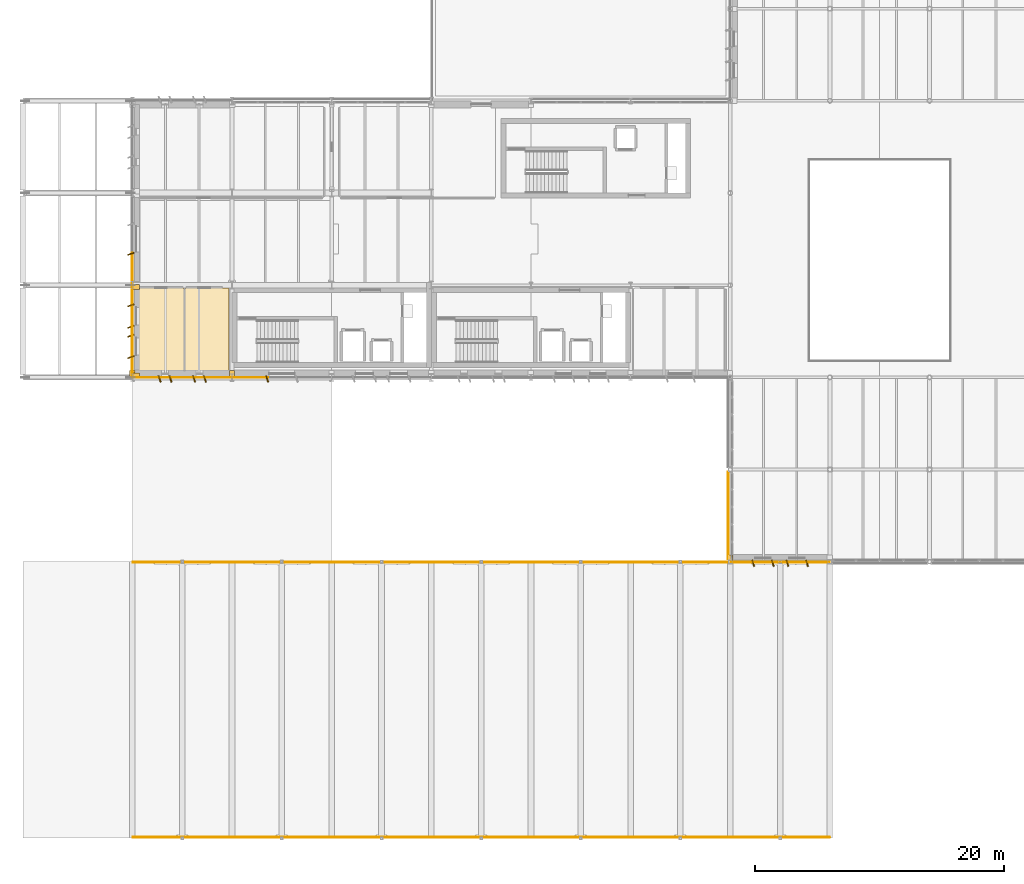
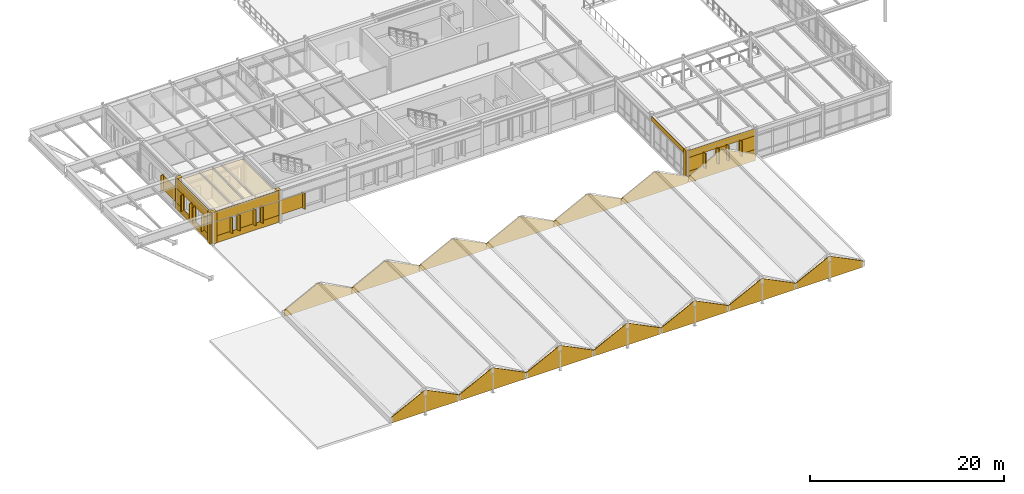
# One storey, part 49 of 63: 53 coverings.
"""IFC4 building model written with IfcOpenShell, lengths in metres."""

from ifc_helpers import new_model, si_unit, direction, frame, frame_2d, origin, origin_2d, place, context, subcontext, project, spatial, polyline, rectangle, outline, extrude, material, layer, layer_set, type_object, element, save


model = new_model("IFC4")

# Units and contexts
model_context = context("Model", 3, precision=1e-05, world=origin(), true_north=direction((0.0, 1.0)))
body_context = subcontext(model_context, "Body", "Model", "MODEL_VIEW")
ifc_project = project(units=[si_unit("LENGTHUNIT", "METRE"), si_unit("AREAUNIT", "SQUARE_METRE"), si_unit("VOLUMEUNIT", "CUBIC_METRE"), si_unit("PLANEANGLEUNIT", "RADIAN"), si_unit("MASSUNIT", "GRAM", prefix="KILO")], contexts=[model_context])

# Site, building, storey
site_placement = place(None, origin())
site = spatial("IfcSite", under=ifc_project, at=site_placement, CompositionType="ELEMENT")
building_placement = place(site_placement, origin())
building = spatial("IfcBuilding", under=site, at=building_placement, Name="Valkorina Park Police Headquarters", CompositionType="ELEMENT")
storey_placement = place(building_placement, frame((0.0, 0.0, 9.89990234375)))
storey = spatial("IfcBuildingStorey", under=building, at=storey_placement, Name="L03", CompositionType="ELEMENT", Elevation=9.89990234375)

# Coverings
ifc_material_1 = material(Name="Acoustic mineral board")
ifc_layer_1 = layer(ifc_material_1, 0.02490234375)
ifc_layer_set_1 = layer_set([ifc_layer_1], Name="Acoustic mineral board")
covering_type_1 = type_object("IfcCoveringType", Name="COV-CEILING-ACOUST", PredefinedType="CEILING", material=ifc_layer_set_1)
covering_1_placement = place(storey_placement, frame((0.0, 0.0, 3.630126953125)))
element("IfcCovering", 1, at=covering_1_placement, inside=storey, type_object=covering_type_1, Name="L03 Male WC Acoustic Suspended Ceiling", PredefinedType="CEILING", context=body_context, shape_type="SweptSolid", body=[
    extrude(outline(polyline([(12.95849609375, 37.50439453125), (12.959716796875, 37.51220703125), (12.9599609375, 37.52001953125), (12.9599609375, 44.080078125), (12.959716796875, 44.087890625), (12.95849609375, 44.095703125), (12.95654296875, 44.103271484375), (12.953857421875, 44.110595703125), (12.95068359375, 44.11767578125), (12.946533203125, 44.12451171875), (12.94189453125, 44.130859375), (12.9365234375, 44.13671875), (12.930908203125, 44.141845703125), (12.92431640625, 44.146484375), (12.917724609375, 44.150634765625), (12.91064453125, 44.15380859375), (12.9033203125, 44.156494140625), (12.8955078125, 44.158447265625), (12.8876953125, 44.15966796875), (12.8798828125, 44.159912109375), (9.320068359375, 44.159912109375), (9.312255859375, 44.15966796875), (9.304443359375, 44.158447265625), (9.296875, 44.156494140625), (9.289306640625, 44.15380859375), (9.2822265625, 44.150634765625), (9.275634765625, 44.146484375), (9.269287109375, 44.141845703125), (9.263427734375, 44.13671875), (9.25830078125, 44.130859375), (9.25341796875, 44.12451171875), (9.24951171875, 44.11767578125), (9.24609375, 44.110595703125), (9.243408203125, 44.103271484375), (9.241455078125, 44.095703125), (9.240478515625, 44.087890625), (9.239990234375, 44.080078125), (9.239990234375, 37.52001953125), (9.240478515625, 37.51220703125), (9.241455078125, 37.50439453125), (9.243408203125, 37.496826171875), (9.24609375, 37.489501953125), (9.24951171875, 37.482421875), (9.25341796875, 37.4755859375), (9.25830078125, 37.46923828125), (9.263427734375, 37.46337890625), (9.269287109375, 37.458251953125), (9.275634765625, 37.45361328125), (9.2822265625, 37.449462890625), (9.289306640625, 37.446044921875), (9.296875, 37.443359375), (9.304443359375, 37.44140625), (9.312255859375, 37.4404296875), (9.320068359375, 37.43994140625), (12.8798828125, 37.43994140625), (12.8876953125, 37.4404296875), (12.8955078125, 37.44140625), (12.9033203125, 37.443359375), (12.91064453125, 37.446044921875), (12.917724609375, 37.449462890625), (12.92431640625, 37.45361328125), (12.930908203125, 37.458251953125), (12.9365234375, 37.46337890625), (12.94189453125, 37.46923828125), (12.946533203125, 37.4755859375), (12.95068359375, 37.482421875), (12.953857421875, 37.489501953125), (12.95654296875, 37.496826171875), (12.95849609375, 37.50439453125)])), origin(), (0.0, 0.0, 1.0), 0.02490234375),
])
covering_2_placement = place(storey_placement, frame((0.0, 0.0, 3.630126953125)))
element("IfcCovering", 2, at=covering_2_placement, inside=storey, type_object=covering_type_1, Name="L03 Female WC Acoustic Suspended Ceiling", PredefinedType="CEILING", context=body_context, shape_type="SweptSolid", body=[
    extrude(outline(polyline([(16.55859375, 37.50439453125), (16.5595703125, 37.51220703125), (16.56005859375, 37.52001953125), (16.56005859375, 44.080078125), (16.5595703125, 44.087890625), (16.55859375, 44.095703125), (16.556640625, 44.103271484375), (16.553955078125, 44.110595703125), (16.550537109375, 44.11767578125), (16.54638671875, 44.12451171875), (16.541748046875, 44.130859375), (16.53662109375, 44.13671875), (16.53076171875, 44.141845703125), (16.5244140625, 44.146484375), (16.517578125, 44.150634765625), (16.510498046875, 44.15380859375), (16.503173828125, 44.156494140625), (16.49560546875, 44.158447265625), (16.48779296875, 44.15966796875), (16.47998046875, 44.159912109375), (13.1201171875, 44.159912109375), (13.1123046875, 44.15966796875), (13.1044921875, 44.158447265625), (13.0966796875, 44.156494140625), (13.08935546875, 44.15380859375), (13.082275390625, 44.150634765625), (13.07568359375, 44.146484375), (13.069091796875, 44.141845703125), (13.0634765625, 44.13671875), (13.05810546875, 44.130859375), (13.053466796875, 44.12451171875), (13.04931640625, 44.11767578125), (13.046142578125, 44.110595703125), (13.04345703125, 44.103271484375), (13.04150390625, 44.095703125), (13.040283203125, 44.087890625), (13.0400390625, 44.080078125), (13.0400390625, 37.52001953125), (13.040283203125, 37.51220703125), (13.04150390625, 37.50439453125), (13.04345703125, 37.496826171875), (13.046142578125, 37.489501953125), (13.04931640625, 37.482421875), (13.053466796875, 37.4755859375), (13.05810546875, 37.46923828125), (13.0634765625, 37.46337890625), (13.069091796875, 37.458251953125), (13.07568359375, 37.45361328125), (13.082275390625, 37.449462890625), (13.08935546875, 37.446044921875), (13.0966796875, 37.443359375), (13.1044921875, 37.44140625), (13.1123046875, 37.4404296875), (13.1201171875, 37.43994140625), (16.47998046875, 37.43994140625), (16.48779296875, 37.4404296875), (16.49560546875, 37.44140625), (16.503173828125, 37.443359375), (16.510498046875, 37.446044921875), (16.517578125, 37.449462890625), (16.5244140625, 37.45361328125), (16.53076171875, 37.458251953125), (16.53662109375, 37.46337890625), (16.541748046875, 37.46923828125), (16.54638671875, 37.4755859375), (16.550537109375, 37.482421875), (16.553955078125, 37.489501953125), (16.556640625, 37.496826171875), (16.55859375, 37.50439453125)])), origin(), (0.0, 0.0, 1.0), 0.02490234375),
])
ifc_material_2 = material(Name="Precast concrete C40/50", Category="concrete")
ifc_layer_2 = layer(ifc_material_2, 0.044921875)
ifc_layer_set_2 = layer_set([ifc_layer_2], Name="Precast concrete C40/50")
covering_type_2 = type_object("IfcCoveringType", Name="COV-CLAD-DOLOMITE", PredefinedType="CLADDING", material=ifc_layer_set_2)
for number, where, z_axis, x_axis, name in (
    (3, (8.840087890625, 0.06005859375, -0.0498046875), (0.0, 0.0, 1.0), (1.0, 0.0, 0.0), "V1 Folded-Plate Gable Closure 1S"),
    (4, (8.840087890625, 22.139892578125, -0.0498046875), (0.0, 0.0, 1.0), (1.0, 0.0, 0.0), "V1 Folded-Plate Gable Closure 1N"),
    (5, (16.840087890625, 0.06005859375, -0.0498046875), (0.0, 0.0, 1.0), (1.0, 0.0, 0.0), "V1 Folded-Plate Gable Closure 2S"),
    (6, (16.840087890625, 22.139892578125, -0.0498046875), (0.0, 0.0, 1.0), (1.0, 0.0, 0.0), "V1 Folded-Plate Gable Closure 2N"),
    (7, (24.840087890625, 0.06005859375, -0.0498046875), (0.0, 0.0, 1.0), (1.0, 0.0, 0.0), "V1 Folded-Plate Gable Closure 3S"),
    (8, (24.840087890625, 22.139892578125, -0.0498046875), (0.0, 0.0, 1.0), (1.0, 0.0, 0.0), "V1 Folded-Plate Gable Closure 3N"),
    (9, (32.840087890625, 0.06005859375, -0.0498046875), (0.0, 0.0, 1.0), (1.0, 0.0, 0.0), "V1 Folded-Plate Gable Closure 4S"),
    (10, (32.840087890625, 22.139892578125, -0.0498046875), (0.0, 0.0, 1.0), (1.0, 0.0, 0.0), "V1 Folded-Plate Gable Closure 4N"),
    (11, (40.840087890625, 0.06005859375, -0.0498046875), (0.0, 0.0, 1.0), (1.0, 0.0, 0.0), "V1 Folded-Plate Gable Closure 5S"),
    (12, (40.840087890625, 22.139892578125, -0.0498046875), (0.0, 0.0, 1.0), (1.0, 0.0, 0.0), "V1 Folded-Plate Gable Closure 5N"),
    (13, (48.840087890625, 0.06005859375, -0.0498046875), (0.0, 0.0, 1.0), (1.0, 0.0, 0.0), "V1 Folded-Plate Gable Closure 6S"),
    (14, (48.840087890625, 22.139892578125, -0.0498046875), (0.0, 0.0, 1.0), (1.0, 0.0, 0.0), "V1 Folded-Plate Gable Closure 6N"),
    (15, (56.840087890625, 0.06005859375, -0.0498046875), (0.0, 0.0, 1.0), (1.0, 0.0, 0.0), "V1 Folded-Plate Gable Closure 7S"),
    (16, (56.840087890625, 22.139892578125, -0.0498046875), (0.0, 0.0, 1.0), (1.0, 0.0, 0.0), "V1 Folded-Plate Gable Closure 7N"),
):
    element("IfcCovering", number, at=place(storey_placement, frame(where, z_axis=z_axis, x_axis=x_axis)), inside=storey, type_object=covering_type_2, Name=name, PredefinedType="CLADDING", context=body_context, shape_type="SweptSolid", body=[
        extrude(outline(polyline([(0.0, 0.0), (7.919921875, 0.0), (8.0, 0.75), (3.9599609375, 2.7705078125), (0.0, 0.75), (0.0, 0.0)])), frame((0.0, 0.0400390625, 0.0), z_axis=(0.0, -1.0, 0.0), x_axis=(1.0, 0.0, 0.0)), (0.0, 0.0, 1.0), 0.080078125),
    ])
covering_3_placement = place(storey_placement, frame((56.81787109375, 22.489990234375, 0.000244140625), z_axis=(0.0, 0.0, 1.0), x_axis=(1.0, 0.0, 0.0)))
element("IfcCovering", 17, at=covering_3_placement, inside=storey, type_object=covering_type_2, Name="L03 Exterior Joint Closure Pilaster B 2122", PredefinedType="CLADDING", context=body_context, shape_type="SweptSolid", body=[
    extrude(rectangle(XDim=0.419921875, YDim=0.52197265625, at=origin_2d()), origin(), (0.0, 0.0, 1.0), 3.919921875),
])
for number, where, z_axis, x_axis, name in (
    (18, (62.95751953125, 22.080078125, 1.22998046875), (0.0, 0.0, 1.0), (0.317304656405, -0.948323655206, 0.0), "Slanted 18.5-deg Precast Window Slot Fin 2123"),
    (19, (61.387451171875, 22.080078125, 1.22998046875), (0.0, 0.0, 1.0), (0.317304656405, -0.948323655206, 0.0), "Slanted 18.5-deg Precast Window Slot Fin 2124"),
    (20, (60.212646484375, 22.080078125, 1.22998046875), (0.0, 0.0, 1.0), (0.317304656405, -0.948323655206, 0.0), "Slanted 18.5-deg Precast Window Slot Fin 2125"),
    (21, (58.642578125, 22.080078125, 1.22998046875), (0.0, 0.0, 1.0), (0.317304656405, -0.948323655206, 0.0), "Slanted 18.5-deg Precast Window Slot Fin 2126"),
):
    element("IfcCovering", number, at=place(storey_placement, frame(where, z_axis=z_axis, x_axis=x_axis)), inside=storey, type_object=covering_type_2, Name=name, PredefinedType="CLADDING", context=body_context, shape_type="SweptSolid", body=[
        extrude(rectangle(XDim=0.5400390625, YDim=0.090087890625, at=origin_2d()), origin(), (0.0, 0.0, 1.0), 1.889892578125),
    ])
covering_4_placement = place(storey_placement, frame((64.780029296875, 22.18505859375, 0.0), z_axis=(0.0, 0.0, 1.0), x_axis=(-1.0, 0.0, 0.0)))
element("IfcCovering", 22, at=covering_4_placement, inside=storey, type_object=covering_type_2, Name="L03 Calm Concrete Base Sill Spandrel 2127", PredefinedType="CLADDING", context=body_context, shape_type="SweptSolid", body=[
    extrude(rectangle(XDim=7.9599609375, YDim=0.044921875, at=frame_2d((3.97998046875, 0.0))), origin(), (0.0, 0.0, 1.0), 1.320068359375),
])
covering_5_placement = place(storey_placement, frame((64.780029296875, 22.18505859375, 3.030029296875), z_axis=(0.0, 0.0, 1.0), x_axis=(-1.0, 0.0, 0.0)))
element("IfcCovering", 23, at=covering_5_placement, inside=storey, type_object=covering_type_2, Name="L03 Calm Concrete Base Lintel Spandrel 2128", PredefinedType="CLADDING", context=body_context, shape_type="SweptSolid", body=[
    extrude(rectangle(XDim=7.9599609375, YDim=0.044921875, at=frame_2d((3.97998046875, 0.0))), origin(), (0.0, 0.0, 1.0), 0.89013671875),
])
covering_6_placement = place(storey_placement, frame((64.780029296875, 22.18505859375, 1.320068359375), z_axis=(0.0, 0.0, 1.0), x_axis=(-1.0, 0.0, 0.0)))
element("IfcCovering", 24, at=covering_6_placement, inside=storey, type_object=covering_type_2, Name="L03 Calm Concrete Base Slot Pier 2129", PredefinedType="CLADDING", context=body_context, shape_type="SweptSolid", body=[
    extrude(rectangle(XDim=1.9326171875, YDim=0.044921875, at=frame_2d((0.96630859375, 0.0))), origin(), (0.0, 0.0, 1.0), 1.7099609375),
])
covering_7_placement = place(storey_placement, frame((61.497314453125, 22.18505859375, 1.320068359375), z_axis=(0.0, 0.0, 1.0), x_axis=(-1.0, 0.0, 0.0)))
element("IfcCovering", 25, at=covering_7_placement, inside=storey, type_object=covering_type_2, Name="L03 Calm Concrete Base Slot Pier 2130", PredefinedType="CLADDING", context=body_context, shape_type="SweptSolid", body=[
    extrude(rectangle(XDim=1.394775390625, YDim=0.044921875, at=frame_2d((0.697265625, 0.0))), origin(), (0.0, 0.0, 1.0), 1.7099609375),
])
covering_8_placement = place(storey_placement, frame((58.752685546875, 22.18505859375, 1.320068359375), z_axis=(0.0, 0.0, 1.0), x_axis=(-1.0, 0.0, 0.0)))
element("IfcCovering", 26, at=covering_8_placement, inside=storey, type_object=covering_type_2, Name="L03 Calm Concrete Base Slot Pier 2131", PredefinedType="CLADDING", context=body_context, shape_type="SweptSolid", body=[
    extrude(rectangle(XDim=1.9326171875, YDim=0.044921875, at=frame_2d((0.96630859375, 0.0))), origin(), (0.0, 0.0, 1.0), 1.7099609375),
])
covering_9_placement = place(storey_placement, frame((56.639892578125, 22.3876953125, 3.360107421875), z_axis=(0.0, 0.0, 1.0), x_axis=(0.0, 1.0, 0.0)))
element("IfcCovering", 27, at=covering_9_placement, inside=storey, type_object=covering_type_2, Name="L03 Spandrel Beam Insulated Fascia 2132", PredefinedType="CLADDING", context=body_context, shape_type="SweptSolid", body=[
    extrude(rectangle(XDim=7.0244140625, YDim=0.044921875, at=frame_2d((3.51220703125, 0.0))), origin(), (0.0, 0.0, 1.0), 0.56005859375),
])
covering_10_placement = place(storey_placement, frame((16.7900390625, 37.2900390625, 0.0), z_axis=(0.0, 0.0, 1.0), x_axis=(1.0, 0.0, 0.0)))
element("IfcCovering", 28, at=covering_10_placement, inside=storey, type_object=covering_type_2, Name="L03 Exterior Joint Closure Pilaster B 2172", PredefinedType="CLADDING", context=body_context, shape_type="SweptSolid", body=[
    extrude(rectangle(XDim=0.419921875, YDim=0.52197265625, at=origin_2d()), origin(), (0.0, 0.0, 1.0), 3.955078125),
])
covering_11_placement = place(storey_placement, frame((19.614990234375, 36.8798828125, 0.7802734375), z_axis=(0.0, 0.0, 1.0), x_axis=(0.317304656405, -0.948323655206, 0.0)))
element("IfcCovering", 29, at=covering_11_placement, inside=storey, type_object=covering_type_2, Name="Slanted 18.5-deg Precast Window Slot Fin 2174", PredefinedType="CLADDING", context=body_context, shape_type="SweptSolid", body=[
    extrude(rectangle(XDim=0.5400390625, YDim=0.090087890625, at=origin_2d()), origin(), (0.0, 0.0, 1.0), 1.989990234375),
])
covering_12_placement = place(storey_placement, frame((19.72509765625, 36.985107421875, 0.8701171875), z_axis=(0.0, 0.0, 1.0), x_axis=(-1.0, 0.0, 0.0)))
element("IfcCovering", 30, at=covering_12_placement, inside=storey, type_object=covering_type_2, Name="L03 Calm Concrete Base Slot Pier 2178", PredefinedType="CLADDING", context=body_context, shape_type="SweptSolid", body=[
    extrude(rectangle(XDim=2.905029296875, YDim=0.044921875, at=frame_2d((1.45263671875, 0.0))), origin(), (0.0, 0.0, 1.0), 1.81005859375),
])
covering_13_placement = place(storey_placement, frame((8.7900390625, 37.2900390625, 0.0), z_axis=(0.0, 0.0, 1.0), x_axis=(1.0, 0.0, 0.0)))
element("IfcCovering", 31, at=covering_13_placement, inside=storey, type_object=covering_type_2, Name="L03 Exterior Joint Closure Pilaster B 2179", PredefinedType="CLADDING", context=body_context, shape_type="SweptSolid", body=[
    extrude(rectangle(XDim=0.419921875, YDim=0.52197265625, at=origin_2d()), origin(), (0.0, 0.0, 1.0), 3.955078125),
])
for number, where, z_axis, x_axis, name in (
    (32, (14.617431640625, 36.8798828125, 0.7802734375), (0.0, 0.0, 1.0), (0.317304656405, -0.948323655206, 0.0), "Slanted 18.5-deg Precast Window Slot Fin 2180"),
    (33, (13.747314453125, 36.8798828125, 0.7802734375), (0.0, 0.0, 1.0), (0.317304656405, -0.948323655206, 0.0), "Slanted 18.5-deg Precast Window Slot Fin 2181"),
    (34, (11.8525390625, 36.8798828125, 0.7802734375), (0.0, 0.0, 1.0), (0.317304656405, -0.948323655206, 0.0), "Slanted 18.5-deg Precast Window Slot Fin 2182"),
    (35, (10.982666015625, 36.8798828125, 0.7802734375), (0.0, 0.0, 1.0), (0.317304656405, -0.948323655206, 0.0), "Slanted 18.5-deg Precast Window Slot Fin 2183"),
):
    element("IfcCovering", number, at=place(storey_placement, frame(where, z_axis=z_axis, x_axis=x_axis)), inside=storey, type_object=covering_type_2, Name=name, PredefinedType="CLADDING", context=body_context, shape_type="SweptSolid", body=[
        extrude(rectangle(XDim=0.5400390625, YDim=0.090087890625, at=origin_2d()), origin(), (0.0, 0.0, 1.0), 1.989990234375),
    ])
covering_14_placement = place(storey_placement, frame((16.780029296875, 36.985107421875, 0.0), z_axis=(0.0, 0.0, 1.0), x_axis=(-1.0, 0.0, 0.0)))
element("IfcCovering", 36, at=covering_14_placement, inside=storey, type_object=covering_type_2, Name="L03 Calm Concrete Base Sill Spandrel 2184", PredefinedType="CLADDING", context=body_context, shape_type="SweptSolid", body=[
    extrude(rectangle(XDim=7.9599609375, YDim=0.044921875, at=frame_2d((3.97998046875, 0.0))), origin(), (0.0, 0.0, 1.0), 0.8701171875),
])
covering_15_placement = place(storey_placement, frame((16.780029296875, 36.985107421875, 2.68017578125), z_axis=(0.0, 0.0, 1.0), x_axis=(-1.0, 0.0, 0.0)))
element("IfcCovering", 37, at=covering_15_placement, inside=storey, type_object=covering_type_2, Name="L03 Calm Concrete Base Lintel Spandrel 2185", PredefinedType="CLADDING", context=body_context, shape_type="SweptSolid", body=[
    extrude(rectangle(XDim=7.9599609375, YDim=0.044921875, at=frame_2d((3.97998046875, 0.0))), origin(), (0.0, 0.0, 1.0), 1.27490234375),
])
covering_16_placement = place(storey_placement, frame((16.780029296875, 36.985107421875, 0.8701171875), z_axis=(0.0, 0.0, 1.0), x_axis=(-1.0, 0.0, 0.0)))
element("IfcCovering", 38, at=covering_16_placement, inside=storey, type_object=covering_type_2, Name="L03 Calm Concrete Base Slot Pier 2186", PredefinedType="CLADDING", context=body_context, shape_type="SweptSolid", body=[
    extrude(rectangle(XDim=2.272705078125, YDim=0.044921875, at=frame_2d((1.13623046875, 0.0))), origin(), (0.0, 0.0, 1.0), 1.81005859375),
])
covering_17_placement = place(storey_placement, frame((13.857421875, 36.985107421875, 0.8701171875), z_axis=(0.0, 0.0, 1.0), x_axis=(-1.0, 0.0, 0.0)))
element("IfcCovering", 39, at=covering_17_placement, inside=storey, type_object=covering_type_2, Name="L03 Calm Concrete Base Slot Pier 2187", PredefinedType="CLADDING", context=body_context, shape_type="SweptSolid", body=[
    extrude(rectangle(XDim=2.11474609375, YDim=0.044921875, at=frame_2d((1.057373046875, 0.0))), origin(), (0.0, 0.0, 1.0), 1.81005859375),
])
covering_18_placement = place(storey_placement, frame((11.092529296875, 36.985107421875, 0.8701171875), z_axis=(0.0, 0.0, 1.0), x_axis=(-1.0, 0.0, 0.0)))
element("IfcCovering", 40, at=covering_18_placement, inside=storey, type_object=covering_type_2, Name="L03 Calm Concrete Base Slot Pier 2188", PredefinedType="CLADDING", context=body_context, shape_type="SweptSolid", body=[
    extrude(rectangle(XDim=2.2724609375, YDim=0.044921875, at=frame_2d((1.13623046875, 0.0))), origin(), (0.0, 0.0, 1.0), 1.81005859375),
])
for number, where, z_axis, x_axis, name in (
    (41, (9.090087890625, 37.139892578125, 0.0), (0.0, 0.0, 1.0), (0.0, 1.0, 0.0), "L03 Exterior Joint Closure Pilaster A 2189"),
    (42, (9.090087890625, 44.260009765625, 0.0), (0.0, 0.0, 1.0), (0.0, 1.0, 0.0), "L03 Exterior Joint Closure Pilaster B 2190"),
):
    element("IfcCovering", number, at=place(storey_placement, frame(where, z_axis=z_axis, x_axis=x_axis)), inside=storey, type_object=covering_type_2, Name=name, PredefinedType="CLADDING", context=body_context, shape_type="SweptSolid", body=[
        extrude(rectangle(XDim=0.419921875, YDim=0.52197265625, at=origin_2d()), origin(), (0.0, 0.0, 1.0), 3.955078125),
    ])
for number, where, z_axis, x_axis, name in (
    (43, (8.679931640625, 38.61962890625, 0.7802734375), (0.0, 0.0, 1.0), (-0.948323655206, -0.317304656405, 0.0), "Slanted 18.5-deg Precast Window Slot Fin 2191"),
    (44, (8.679931640625, 40.339599609375, 0.7802734375), (0.0, 0.0, 1.0), (-0.948323655206, -0.317304656405, 0.0), "Slanted 18.5-deg Precast Window Slot Fin 2192"),
    (45, (8.679931640625, 41.060302734375, 0.7802734375), (0.0, 0.0, 1.0), (-0.948323655206, -0.317304656405, 0.0), "Slanted 18.5-deg Precast Window Slot Fin 2193"),
    (46, (8.679931640625, 42.780517578125, 0.7802734375), (0.0, 0.0, 1.0), (-0.948323655206, -0.317304656405, 0.0), "Slanted 18.5-deg Precast Window Slot Fin 2194"),
):
    element("IfcCovering", number, at=place(storey_placement, frame(where, z_axis=z_axis, x_axis=x_axis)), inside=storey, type_object=covering_type_2, Name=name, PredefinedType="CLADDING", context=body_context, shape_type="SweptSolid", body=[
        extrude(rectangle(XDim=0.5400390625, YDim=0.090087890625, at=origin_2d()), origin(), (0.0, 0.0, 1.0), 1.989990234375),
    ])
covering_19_placement = place(storey_placement, frame((8.784912109375, 37.02001953125, 0.0), z_axis=(0.0, 0.0, 1.0), x_axis=(0.0, 1.0, 0.0)))
element("IfcCovering", 47, at=covering_19_placement, inside=storey, type_object=covering_type_2, Name="L03 Calm Concrete Base Sill Spandrel 2195", PredefinedType="CLADDING", context=body_context, shape_type="SweptSolid", body=[
    extrude(rectangle(XDim=7.35986328125, YDim=0.044921875, at=frame_2d((3.679931640625, 0.0))), origin(), (0.0, 0.0, 1.0), 0.8701171875),
])
covering_20_placement = place(storey_placement, frame((8.784912109375, 37.02001953125, 2.68017578125), z_axis=(0.0, 0.0, 1.0), x_axis=(0.0, 1.0, 0.0)))
element("IfcCovering", 48, at=covering_20_placement, inside=storey, type_object=covering_type_2, Name="L03 Calm Concrete Base Lintel Spandrel 2196", PredefinedType="CLADDING", context=body_context, shape_type="SweptSolid", body=[
    extrude(rectangle(XDim=7.35986328125, YDim=0.044921875, at=frame_2d((3.679931640625, 0.0))), origin(), (0.0, 0.0, 1.0), 1.27490234375),
])
covering_21_placement = place(storey_placement, frame((8.784912109375, 37.02001953125, 0.8701171875), z_axis=(0.0, 0.0, 1.0), x_axis=(0.0, 1.0, 0.0)))
element("IfcCovering", 49, at=covering_21_placement, inside=storey, type_object=covering_type_2, Name="L03 Calm Concrete Base Slot Pier 2197", PredefinedType="CLADDING", context=body_context, shape_type="SweptSolid", body=[
    extrude(rectangle(XDim=1.70947265625, YDim=0.044921875, at=frame_2d((0.854736328125, 0.0))), origin(), (0.0, 0.0, 1.0), 1.81005859375),
])
covering_22_placement = place(storey_placement, frame((8.784912109375, 40.2294921875, 0.8701171875), z_axis=(0.0, 0.0, 1.0), x_axis=(0.0, 1.0, 0.0)))
element("IfcCovering", 50, at=covering_22_placement, inside=storey, type_object=covering_type_2, Name="L03 Calm Concrete Base Slot Pier 2198", PredefinedType="CLADDING", context=body_context, shape_type="SweptSolid", body=[
    extrude(rectangle(XDim=0.94091796875, YDim=0.044921875, at=frame_2d((0.470458984375, 0.0))), origin(), (0.0, 0.0, 1.0), 1.81005859375),
])
covering_23_placement = place(storey_placement, frame((8.784912109375, 42.67041015625, 0.8701171875), z_axis=(0.0, 0.0, 1.0), x_axis=(0.0, 1.0, 0.0)))
element("IfcCovering", 51, at=covering_23_placement, inside=storey, type_object=covering_type_2, Name="L03 Calm Concrete Base Slot Pier 2199", PredefinedType="CLADDING", context=body_context, shape_type="SweptSolid", body=[
    extrude(rectangle(XDim=1.70947265625, YDim=0.044921875, at=frame_2d((0.854736328125, 0.0))), origin(), (0.0, 0.0, 1.0), 1.81005859375),
])
covering_24_placement = place(storey_placement, frame((8.679931640625, 46.9150390625, 0.7802734375), z_axis=(0.0, 0.0, 1.0), x_axis=(-0.948323655206, -0.317304656405, 0.0)))
element("IfcCovering", 52, at=covering_24_placement, inside=storey, type_object=covering_type_2, Name="Slanted 18.5-deg Precast Window Slot Fin 2201", PredefinedType="CLADDING", context=body_context, shape_type="SweptSolid", body=[
    extrude(rectangle(XDim=0.5400390625, YDim=0.090087890625, at=origin_2d()), origin(), (0.0, 0.0, 1.0), 1.989990234375),
])
covering_25_placement = place(storey_placement, frame((8.784912109375, 44.419921875, 0.8701171875), z_axis=(0.0, 0.0, 1.0), x_axis=(0.0, 1.0, 0.0)))
element("IfcCovering", 53, at=covering_25_placement, inside=storey, type_object=covering_type_2, Name="L03 Calm Concrete Base Slot Pier 2205", PredefinedType="CLADDING", context=body_context, shape_type="SweptSolid", body=[
    extrude(rectangle(XDim=2.60498046875, YDim=0.044921875, at=frame_2d((1.302490234375, 0.0))), origin(), (0.0, 0.0, 1.0), 1.81005859375),
])

save(model, "model.ifc")
